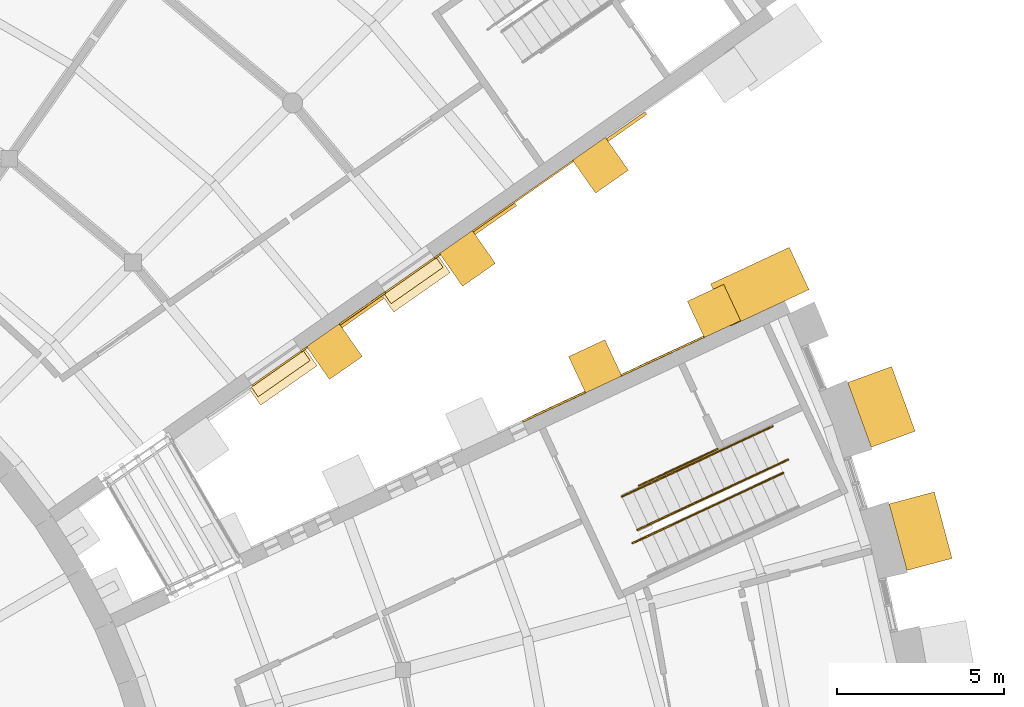
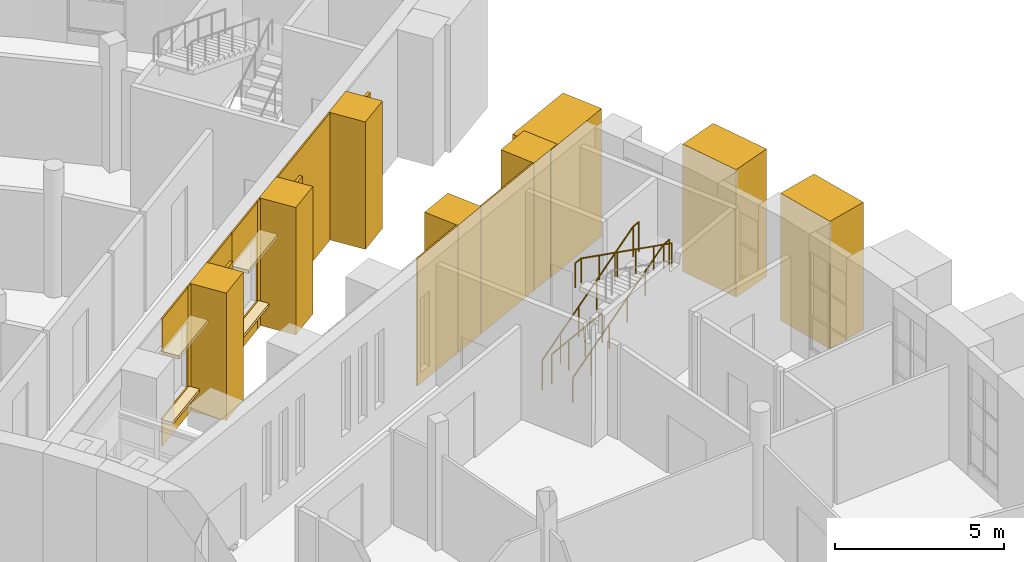
# One storey, part 60 of 66: 25 coverings, 4 railings.
"""IFC4 building model written with IfcOpenShell, lengths in metres."""

from ifc_helpers import new_model, si_unit, direction, frame, origin, origin_2d, place, context, subcontext, project, spatial, polyline, rectangle, circle, outline, extrude, material, layer, layer_set, type_object, element, save


model = new_model("IFC4")

# Units and contexts
model_context = context("Model", 3, precision=1e-05, world=origin(), true_north=direction((0.0, 1.0)))
body_context = subcontext(model_context, "Body", "Model", "MODEL_VIEW")
ifc_project = project(units=[si_unit("LENGTHUNIT", "METRE"), si_unit("AREAUNIT", "SQUARE_METRE"), si_unit("VOLUMEUNIT", "CUBIC_METRE"), si_unit("PLANEANGLEUNIT", "RADIAN"), si_unit("MASSUNIT", "GRAM", prefix="KILO")], contexts=[model_context])

# Site, building, storey
site_placement = place(None, origin())
site = spatial("IfcSite", under=ifc_project, at=site_placement, CompositionType="ELEMENT")
building_placement = place(site_placement, origin())
building = spatial("IfcBuilding", under=site, at=building_placement, Name="Volute Hill Aquarium", CompositionType="ELEMENT")
storey_placement = place(building_placement, frame((0.0, 0.0, 4.60009765625)))
storey = spatial("IfcBuildingStorey", under=building, at=storey_placement, Name="L02", CompositionType="ELEMENT", Elevation=4.60009765625)

# Coverings
ifc_material_1 = material(Name="Aluminium", Category="aluminium")
ifc_layer_1 = layer(ifc_material_1, 0.10009765625)
ifc_layer_set_1 = layer_set([ifc_layer_1], Name="End wall plant louvre panel 100")
covering_type_1 = type_object("IfcCoveringType", Name="End wall plant louvre panel 100", PredefinedType="CLADDING", material=ifc_layer_set_1)
for number, where, z_axis, x_axis, name in (
    (1, (26.489501953125, 18.1513671875, 1.300048828125), (0.0, 0.0, 1.0), (0.819153286217, 0.573574662691, 0.0), "End wall plant louvre EWV S5A L02 3"),
    (2, (30.475341796875, 20.9423828125, 1.300048828125), (0.0, 0.0, 1.0), (0.819153286217, 0.573574662691, 0.0), "End wall plant louvre EWV S5A L02 4"),
):
    element("IfcCovering", number, at=place(storey_placement, frame(where, z_axis=z_axis, x_axis=x_axis)), inside=storey, type_object=covering_type_1, Name=name, PredefinedType="CLADDING", context=body_context, shape_type="SweptSolid", body=[
        extrude(rectangle(XDim=1.51611328125, YDim=0.10009765625, at=origin_2d()), origin(), (0.0, 0.0, 1.0), 2.39990234375),
    ])
covering_1_placement = place(storey_placement, frame((34.41845703125, 23.703369140625, 1.300048828125), z_axis=(0.0, 0.0, 1.0), x_axis=(0.819153286217, 0.573574662691, 0.0)))
element("IfcCovering", 3, at=covering_1_placement, inside=storey, type_object=covering_type_1, Name="End wall plant louvre EWV S5A L02 5", PredefinedType="CLADDING", context=body_context, shape_type="SweptSolid", body=[
    extrude(rectangle(XDim=1.4111328125, YDim=0.10009765625, at=origin_2d()), origin(), (0.0, 0.0, 1.0), 2.39990234375),
])
ifc_material_2 = material(Name="Precast concrete C40/50", Category="concrete")
covering_type_2 = type_object("IfcCoveringType", Name="End wall precast fin C40/50 1200x1200", PredefinedType="CLADDING", material=ifc_material_2)
for number, where, z_axis, x_axis, name in (
    (4, (33.478271484375, 16.521484375, -0.000244140625), (0.0, 0.0, 1.0), (0.906308670387, 0.422616367385, 0.0), "End wall fin EWF S4B L02 5"),
    (5, (37.03662109375, 18.1806640625, -0.000244140625), (0.0, 0.0, 1.0), (0.906308670387, 0.422616367385, 0.0), "End wall fin EWF S4B L02 6"),
    (6, (25.663818359375, 16.962890625, -0.000244140625), (0.0, 0.0, 1.0), (0.819153286217, 0.573574662691, 0.0), "End wall fin EWF S5A L02 3"),
    (7, (29.649658203125, 19.75390625, -0.000244140625), (0.0, 0.0, 1.0), (0.819153286217, 0.573574662691, 0.0), "End wall fin EWF S5A L02 4"),
    (8, (33.6357421875, 22.544921875, -0.000244140625), (0.0, 0.0, 1.0), (0.819153286217, 0.573574662691, 0.0), "End wall fin EWF S5A L02 5"),
):
    element("IfcCovering", number, at=place(storey_placement, frame(where, z_axis=z_axis, x_axis=x_axis)), inside=storey, type_object=covering_type_2, Name=name, PredefinedType="CLADDING", context=body_context, shape_type="SweptSolid", body=[
        extrude(rectangle(XDim=1.199951171875, YDim=1.199951171875, at=origin_2d()), origin(), (0.0, 0.0, 1.0), 4.60009765625),
    ])
ifc_material_3 = material(Name="Precast concrete C40/50", Category="concrete")
ifc_layer_2 = layer(ifc_material_3, 0.050048828125)
ifc_layer_set_2 = layer_set([ifc_layer_2], Name="End wall precast infill panel C40/50 50")
covering_type_3 = type_object("IfcCoveringType", Name="End wall precast infill panel C40/50 50", PredefinedType="CLADDING", material=ifc_layer_set_2)
covering_2_placement = place(storey_placement, frame((31.306884765625, 14.846923828125, 0.0), z_axis=(0.422627874494, -0.906303304474, 0.0), x_axis=(0.906303304474, 0.422627874494, 0.0)))
element("IfcCovering", 9, at=covering_2_placement, inside=storey, type_object=covering_type_3, Name="End wall panel EWP S4B L02 4", PredefinedType="CLADDING", context=body_context, shape_type="SweptSolid", body=[
    extrude(outline(polyline([(0.0, 0.0), (2.0755783481518377, 0.0), (2.0755783481518377, 4.599853515625), (0.0, 4.599853515625), (0.0, 0.0)])), origin(), (0.0, 0.0, -1.0), 0.050048828125),
])
covering_3_placement = place(storey_placement, frame((34.275634765625, 16.231201171875, 0.0), z_axis=(0.422615797409, -0.906308936169, 0.0), x_axis=(0.906308936169, 0.422615797409, 0.0)))
element("IfcCovering", 10, at=covering_3_placement, inside=storey, type_object=covering_type_3, Name="End wall panel EWP S4B L02 5", PredefinedType="CLADDING", context=body_context, shape_type="SweptSolid", body=[
    extrude(outline(polyline([(0.0, 0.0), (2.726115815919565, 0.0), (2.726115815919565, 4.599853515625), (0.0, 4.599853515625), (0.0, 0.0)])), origin(), (0.0, 0.0, -1.0), 0.050048828125),
])
covering_4_placement = place(storey_placement, frame((23.21875, 15.922119140625, 0.0), z_axis=(0.573617089972, -0.819123576813, 0.0), x_axis=(0.819123576813, 0.573617089972, 0.0)))
element("IfcCovering", 11, at=covering_4_placement, inside=storey, type_object=covering_type_3, Name="End wall panel EWP S5A L02 2", PredefinedType="CLADDING", context=body_context, shape_type="SweptSolid", body=[
    extrude(outline(polyline([(0.0, 0.0), (1.799930164518913, 0.0), (1.799930164518913, 1.0), (0.0, 1.0), (0.0, 0.0)])), origin(), (0.0, 0.0, -1.0), 0.050048828125),
])
covering_5_placement = place(storey_placement, frame((23.21875, 15.922119140625, 3.39990234375), z_axis=(0.573617089972, -0.819123576813, 0.0), x_axis=(0.819123576813, 0.573617089972, 0.0)))
element("IfcCovering", 12, at=covering_5_placement, inside=storey, type_object=covering_type_3, Name="End wall panel EWP S5A L02 2", PredefinedType="CLADDING", context=body_context, shape_type="SweptSolid", body=[
    extrude(outline(polyline([(0.0, 0.0), (1.799930164518913, 0.0), (1.799930164518913, 1.199951171875), (0.0, 1.199951171875), (0.0, 0.0)])), origin(), (0.0, 0.0, -1.0), 0.050048828125),
])
covering_6_placement = place(storey_placement, frame((24.693115234375, 16.95458984375, 0.0), z_axis=(0.57288833976, -0.819633424262, 0.0), x_axis=(0.819633424262, 0.57288833976, 0.0)))
element("IfcCovering", 13, at=covering_6_placement, inside=storey, type_object=covering_type_3, Name="End wall panel EWP S5A L02 2", PredefinedType="CLADDING", context=body_context, shape_type="SweptSolid", body=[
    extrude(outline(polyline([(0.0, 0.0), (0.19986783667653069, 0.0), (0.19986783667653069, 4.599853515625), (0.0, 4.599853515625), (0.0, 0.0)])), origin(), (0.0, 0.0, -1.0), 0.050048828125),
])
covering_7_placement = place(storey_placement, frame((25.83984375, 17.757568359375, 0.0), z_axis=(0.573560689761, -0.819163069945, 0.0), x_axis=(0.819163069945, 0.573560689761, 0.0)))
element("IfcCovering", 14, at=covering_7_placement, inside=storey, type_object=covering_type_3, Name="End wall panel EWP S5A L02 3", PredefinedType="CLADDING", context=body_context, shape_type="SweptSolid", body=[
    extrude(outline(polyline([(0.0, 0.0), (1.6660249269321943, 0.0), (1.6660249269321943, 4.599853515625), (0.0, 4.599853515625), (0.0, 0.0)])), origin(), (0.0, 0.0, -1.0), 0.050048828125),
])
covering_8_placement = place(storey_placement, frame((27.20458984375, 18.713134765625, 0.0), z_axis=(0.573553363558, -0.819168199548, 0.0), x_axis=(0.819168199548, 0.573553363558, 0.0)))
element("IfcCovering", 15, at=covering_8_placement, inside=storey, type_object=covering_type_3, Name="End wall panel EWP S5A L02 3", PredefinedType="CLADDING", context=body_context, shape_type="SweptSolid", body=[
    extrude(outline(polyline([(0.0, 0.0), (1.800130151308322, 0.0), (1.800130151308322, 1.0), (0.0, 1.0), (0.0, 0.0)])), origin(), (0.0, 0.0, -1.0), 0.050048828125),
])
covering_9_placement = place(storey_placement, frame((27.20458984375, 18.713134765625, 3.39990234375), z_axis=(0.573553363558, -0.819168199548, 0.0), x_axis=(0.819168199548, 0.573553363558, 0.0)))
element("IfcCovering", 16, at=covering_9_placement, inside=storey, type_object=covering_type_3, Name="End wall panel EWP S5A L02 3", PredefinedType="CLADDING", context=body_context, shape_type="SweptSolid", body=[
    extrude(outline(polyline([(0.0, 0.0), (1.800130151308322, 0.0), (1.800130151308322, 1.199951171875), (0.0, 1.199951171875), (0.0, 0.0)])), origin(), (0.0, 0.0, -1.0), 0.050048828125),
])
covering_10_placement = place(storey_placement, frame((28.67919921875, 19.74560546875, 0.0), z_axis=(0.573462344363, -0.819231920519, 0.0), x_axis=(0.819231920519, 0.573462344363, 0.0)))
element("IfcCovering", 17, at=covering_10_placement, inside=storey, type_object=covering_type_3, Name="End wall panel EWP S5A L02 3", PredefinedType="CLADDING", context=body_context, shape_type="SweptSolid", body=[
    extrude(outline(polyline([(0.0, 0.0), (0.19966777984720657, 0.0), (0.19966777984720657, 4.599853515625), (0.0, 4.599853515625), (0.0, 0.0)])), origin(), (0.0, 0.0, -1.0), 0.050048828125),
])
covering_11_placement = place(storey_placement, frame((29.825927734375, 20.548583984375, 0.0), z_axis=(0.573551735759, -0.819169339275, 0.0), x_axis=(0.819169339275, 0.573551735759, 0.0)))
element("IfcCovering", 18, at=covering_11_placement, inside=storey, type_object=covering_type_3, Name="End wall panel EWP S5A L02 4", PredefinedType="CLADDING", context=body_context, shape_type="SweptSolid", body=[
    extrude(outline(polyline([(0.0, 0.0), (3.6658228567958964, 0.0), (3.6658228567958964, 4.599853515625), (0.0, 4.599853515625), (0.0, 0.0)])), origin(), (0.0, 0.0, -1.0), 0.050048828125),
])
ifc_material_4 = material(Name="Precast concrete C40/50", Category="concrete")
ifc_layer_3 = layer(ifc_material_4, 0.1201171875)
ifc_layer_set_3 = layer_set([ifc_layer_3], Name="End wall window head blade precast C40/50 600x120")
covering_type_4 = type_object("IfcCoveringType", Name="End wall window head blade precast C40/50 600x120", PredefinedType="CLADDING", material=ifc_layer_set_3)
for number, where, z_axis, x_axis, name in (
    (19, (24.1279296875, 16.192626953125, 3.39990234375), (0.0, 0.0, 1.0), (0.819153286217, 0.573574662691, 0.0), "End wall window head blade EWB S5A L02 2.1"),
    (20, (28.114013671875, 18.983642578125, 3.39990234375), (0.0, 0.0, 1.0), (0.819153286217, 0.573574662691, 0.0), "End wall window head blade EWB S5A L02 3.1"),
):
    element("IfcCovering", number, at=place(storey_placement, frame(where, z_axis=z_axis, x_axis=x_axis)), inside=storey, type_object=covering_type_4, Name=name, PredefinedType="CLADDING", context=body_context, shape_type="SweptSolid", body=[
        extrude(rectangle(XDim=2.06005859375, YDim=0.60009765625, at=origin_2d()), origin(), (0.0, 0.0, 1.0), 0.1201171875),
    ])
ifc_material_5 = material(Name="Precast concrete C40/50", Category="concrete")
ifc_layer_4 = layer(ifc_material_5, 0.10009765625)
ifc_layer_set_4 = layer_set([ifc_layer_4], Name="End wall window sill precast C40/50 350x100")
covering_type_5 = type_object("IfcCoveringType", Name="End wall window sill precast C40/50 350x100", PredefinedType="CLADDING", material=ifc_layer_set_4)
for number, where, z_axis, x_axis, name in (
    (21, (24.05615234375, 16.294921875, 0.89990234375), (0.0, 0.0, 1.0), (0.819153286217, 0.573574662691, 0.0), "End wall window sill EWS S5A L02 2.1"),
    (22, (28.042236328125, 19.086181640625, 0.89990234375), (0.0, 0.0, 1.0), (0.819153286217, 0.573574662691, 0.0), "End wall window sill EWS S5A L02 3.1"),
):
    element("IfcCovering", number, at=place(storey_placement, frame(where, z_axis=z_axis, x_axis=x_axis)), inside=storey, type_object=covering_type_5, Name=name, PredefinedType="CLADDING", context=body_context, shape_type="SweptSolid", body=[
        extrude(rectangle(XDim=1.89990234375, YDim=0.35009765625, at=origin_2d()), origin(), (0.0, 0.0, 1.0), 0.10009765625),
    ])

# Railings
ifc_material_6 = material(Name="Stainless steel 1.4301", Category="steel")
railing_type_1 = type_object("IfcRailingType", Name="Guard 1100 stainless", PredefinedType="GUARDRAIL", material=ifc_material_6)
railing_1_placement = place(storey_placement, frame((37.14501953125, 14.0439453125, 0.0)))
element("IfcRailing", 23, at=railing_1_placement, inside=storey, type_object=railing_type_1, Name="gd/S4-B/L02/edge", PredefinedType="GUARDRAIL", context=body_context, shape_type="SweptSolid", body=[
    extrude(circle(Radius=0.02392578125, at=origin_2d()), frame((0.0, 0.0, 1.076171875), z_axis=(-0.906300648467, -0.422633570115, 0.0), x_axis=(0.422633570115, -0.906300648467, 0.0)), (0.0, 0.0, 1.0), 2.60009765625),
    extrude(circle(Radius=0.02099609375, at=origin_2d()), origin(), (0.0, 0.0, 1.0), 1.052001953125),
    extrude(circle(Radius=0.02099609375, at=origin_2d()), frame((-0.785400390625, -0.3662109375, 0.0)), (0.0, 0.0, 1.0), 1.052001953125),
    extrude(circle(Radius=0.02099609375, at=origin_2d()), frame((-1.571044921875, -0.732666015625, 0.0)), (0.0, 0.0, 1.0), 1.052001953125),
    extrude(circle(Radius=0.02099609375, at=origin_2d()), frame((-2.3564453125, -1.098876953125, 0.0)), (0.0, 0.0, 1.0), 1.052001953125),
])
railing_2_placement = place(storey_placement, frame((34.278564453125, 12.619140625, 0.164306640625)))
element("IfcRailing", 24, at=railing_2_placement, inside=storey, type_object=railing_type_1, Name="gd/S4-B/L02/1", PredefinedType="GUARDRAIL", context=body_context, shape_type="SweptSolid", body=[
    extrude(circle(Radius=0.02392578125, at=origin_2d()), frame((0.0, 0.0, 1.076171875), z_axis=(0.824525705551, 0.384474917439, 0.41513419366), x_axis=(-0.42261127948, 0.906311042885, 0.0)), (0.0, 0.0, 1.0), 5.14404296875),
    extrude(circle(Radius=0.02392578125, at=origin_2d()), frame((4.241455078125, 1.977783203125, 3.21142578125), z_axis=(0.906453195831, 0.422306291415, 0.0), x_axis=(-0.422306291415, 0.906453195831, 0.0)), (0.0, 0.0, 1.0), 0.300048828125),
    extrude(circle(Radius=0.02099609375, at=origin_2d()), origin(), (0.0, 0.0, 1.0), 1.052001953125),
    extrude(circle(Radius=0.02099609375, at=origin_2d()), frame((0.848388671875, 0.3955078125, 0.427001953125)), (0.0, 0.0, 1.0), 1.052001953125),
    extrude(circle(Radius=0.02099609375, at=origin_2d()), frame((1.696533203125, 0.791015625, 0.854248046875)), (0.0, 0.0, 1.0), 1.052001953125),
    extrude(circle(Radius=0.02099609375, at=origin_2d()), frame((2.544921875, 1.186767578125, 1.28125)), (0.0, 0.0, 1.0), 1.052001953125),
    extrude(circle(Radius=0.02099609375, at=origin_2d()), frame((3.39306640625, 1.582275390625, 1.70849609375)), (0.0, 0.0, 1.0), 1.052001953125),
    extrude(circle(Radius=0.02099609375, at=origin_2d()), frame((4.241455078125, 1.977783203125, 2.135498046875)), (0.0, 0.0, 1.0), 1.052001953125),
    extrude(circle(Radius=0.02099609375, at=origin_2d()), frame((4.513427734375, 2.1044921875, 2.135498046875)), (0.0, 0.0, 1.0), 1.052001953125),
])
ifc_material_7 = material(Name="Stainless steel 1.4301", Category="steel")
railing_type_2 = type_object("IfcRailingType", Name="Handrail 48 stainless", PredefinedType="HANDRAIL", material=ifc_material_7)
railing_3_placement = place(storey_placement, frame((34.743408203125, 11.6220703125, 0.164306640625)))
element("IfcRailing", 25, at=railing_3_placement, inside=storey, type_object=railing_type_2, Name="hr/S4-B/L02/2", PredefinedType="HANDRAIL", context=body_context, shape_type="SweptSolid", body=[
    extrude(circle(Radius=0.02392578125, at=origin_2d()), frame((0.0, 0.0, 0.8759765625), z_axis=(0.824525854443, 0.384500314993, 0.415110374629), x_axis=(-0.422634147204, 0.906300379354, 0.0)), (0.0, 0.0, 1.0), 5.14453125),
    extrude(circle(Radius=0.02392578125, at=origin_2d()), frame((4.24169921875, 1.97802734375, 3.01123046875), z_axis=(0.906307919131, 0.422617978463, 0.0), x_axis=(-0.422617978463, 0.906307919131, 0.0)), (0.0, 0.0, 1.0), 0.2998046875),
    extrude(circle(Radius=0.02099609375, at=origin_2d()), origin(), (0.0, 0.0, 1.0), 0.851806640625),
    extrude(circle(Radius=0.02099609375, at=origin_2d()), frame((0.848388671875, 0.3955078125, 0.427001953125)), (0.0, 0.0, 1.0), 0.851806640625),
    extrude(circle(Radius=0.02099609375, at=origin_2d()), frame((1.69677734375, 0.791259765625, 0.854248046875)), (0.0, 0.0, 1.0), 0.851806640625),
    extrude(circle(Radius=0.02099609375, at=origin_2d()), frame((2.544921875, 1.186767578125, 1.28125)), (0.0, 0.0, 1.0), 0.851806640625),
    extrude(circle(Radius=0.02099609375, at=origin_2d()), frame((3.393310546875, 1.58251953125, 1.70849609375)), (0.0, 0.0, 1.0), 0.851806640625),
    extrude(circle(Radius=0.02099609375, at=origin_2d()), frame((4.24169921875, 1.97802734375, 2.135498046875)), (0.0, 0.0, 1.0), 0.851806640625),
    extrude(circle(Radius=0.02099609375, at=origin_2d()), frame((4.513427734375, 2.104736328125, 2.135498046875)), (0.0, 0.0, 1.0), 0.851806640625),
])
railing_4_placement = place(storey_placement, frame((39.11181640625, 13.328125, 2.464111328125)))
element("IfcRailing", 26, at=railing_4_placement, inside=storey, type_object=railing_type_2, Name="hr/S4-B/L02/3", PredefinedType="HANDRAIL", context=body_context, shape_type="SweptSolid", body=[
    extrude(circle(Radius=0.02392578125, at=origin_2d()), frame((0.0, 0.0, 0.8759765625), z_axis=(-0.824494415061, -0.384507785116, 0.415165897827), x_axis=(0.422654128672, -0.906291061148, 0.0)), (0.0, 0.0, 1.0), 5.144287109375),
    extrude(circle(Radius=0.02392578125, at=origin_2d()), frame((-4.241455078125, -1.97802734375, 3.01171875), z_axis=(-0.906453195831, -0.422306291415, 0.0), x_axis=(0.422306291415, -0.906453195831, 0.0)), (0.0, 0.0, 1.0), 0.300048828125),
    extrude(circle(Radius=0.02099609375, at=origin_2d()), origin(), (0.0, 0.0, 1.0), 0.851806640625),
    extrude(circle(Radius=0.02099609375, at=origin_2d()), frame((-0.848388671875, -0.3955078125, 0.42724609375)), (0.0, 0.0, 1.0), 0.851806640625),
    extrude(circle(Radius=0.02099609375, at=origin_2d()), frame((-1.696533203125, -0.791259765625, 0.854248046875)), (0.0, 0.0, 1.0), 0.851806640625),
    extrude(circle(Radius=0.02099609375, at=origin_2d()), frame((-2.544921875, -1.186767578125, 1.281494140625)), (0.0, 0.0, 1.0), 0.851806640625),
    extrude(circle(Radius=0.02099609375, at=origin_2d()), frame((-3.39306640625, -1.58251953125, 1.70849609375)), (0.0, 0.0, 1.0), 0.851806640625),
    extrude(circle(Radius=0.02099609375, at=origin_2d()), frame((-4.241455078125, -1.97802734375, 2.1357421875)), (0.0, 0.0, 1.0), 0.851806640625),
    extrude(circle(Radius=0.02099609375, at=origin_2d()), frame((-4.513427734375, -2.104736328125, 2.1357421875)), (0.0, 0.0, 1.0), 0.851806640625),
])

# Coverings
ifc_material_8 = material(Name="Precast concrete C40/50", Category="concrete")
covering_type_6 = type_object("IfcCoveringType", Name="Projecting pier precast concrete C40/50 2062x1400", PredefinedType="CLADDING", material=ifc_material_8)
for number, where, z_axis, x_axis, name in (
    (27, (43.227294921875, 11.582763671875, -0.000244140625), (0.0, 0.0, 1.0), (-0.258819045103, 0.965925826289, 0.0), "Projecting pier PP S4 L02 8"),
    (28, (42.053466796875, 15.30615234375, -0.000244140625), (0.0, 0.0, 1.0), (-0.342020143326, 0.939692620786, 0.0), "Projecting pier PP S4 L02 9"),
):
    element("IfcCovering", number, at=place(storey_placement, frame(where, z_axis=z_axis, x_axis=x_axis)), inside=storey, type_object=covering_type_6, Name=name, PredefinedType="CLADDING", context=body_context, shape_type="SweptSolid", body=[
        extrude(rectangle(XDim=2.06201171875, YDim=1.39990234375, at=origin_2d()), origin(), (0.0, 0.0, 1.0), 4.60009765625),
    ])
ifc_material_9 = material(Name="Precast concrete C40/50", Category="concrete")
covering_type_7 = type_object("IfcCoveringType", Name="Step pylon precast concrete C40/50 1400x2600", PredefinedType="CLADDING", material=ifc_material_9)
covering_12_placement = place(storey_placement, frame((38.40966796875, 18.90380859375, -0.000244140625), z_axis=(0.0, 0.0, 1.0), x_axis=(0.906307787037, 0.422618261741, 0.0)))
element("IfcCovering", 29, at=covering_12_placement, inside=storey, type_object=covering_type_7, Name="Step pylon SPY S4B L02", PredefinedType="CLADDING", context=body_context, shape_type="SweptSolid", body=[
    extrude(rectangle(XDim=2.60009765625, YDim=1.39990234375, at=origin_2d()), origin(), (0.0, 0.0, 1.0), 4.60009765625),
])

save(model, "model.ifc")
